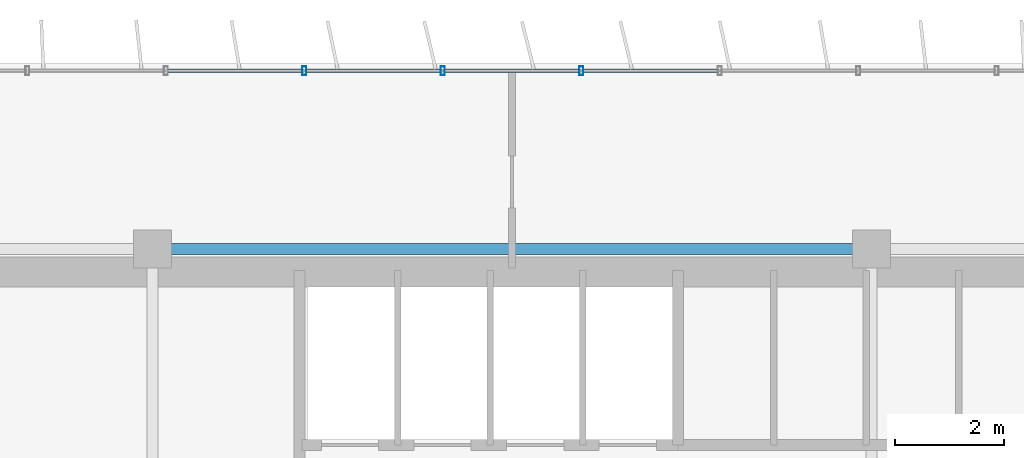
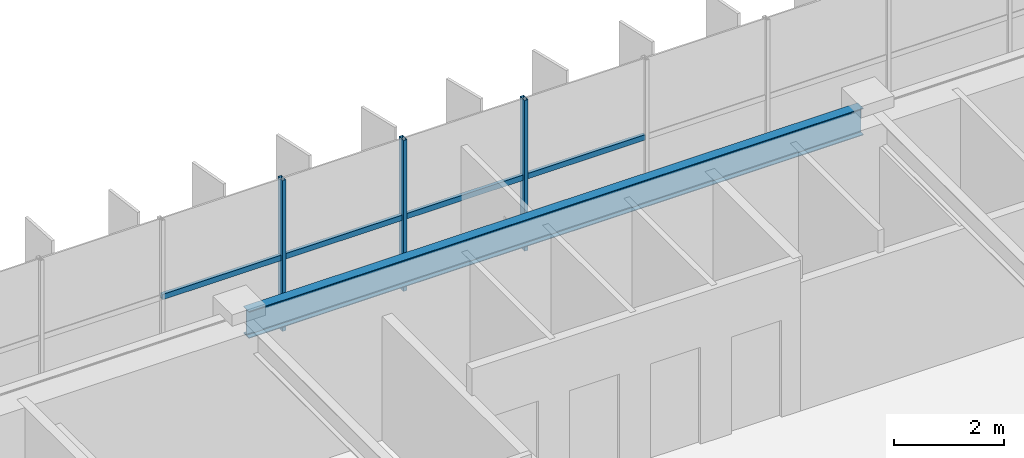
# One storey, part 7 of 21: 7 members, 1 beam, 1 element without a shape of its own.
"""IFC4 building model written with IfcOpenShell, lengths in metres."""

from ifc_helpers import new_model, si_unit, direction, frame, origin, origin_2d, place, context, subcontext, project, spatial, hollow_rectangle, i_section, extrude, source, transform, mapped, material, material_profile, profile_set, type_object, element, aggregate, save


model = new_model("IFC4")

# Units and contexts
model_context = context("Model", 3, precision=1e-05, world=origin(), true_north=direction((0.0, 1.0)))
body_context = subcontext(model_context, "Body", "Model", "MODEL_VIEW")
ifc_project = project(units=[si_unit("LENGTHUNIT", "METRE"), si_unit("AREAUNIT", "SQUARE_METRE"), si_unit("VOLUMEUNIT", "CUBIC_METRE"), si_unit("PLANEANGLEUNIT", "RADIAN"), si_unit("MASSUNIT", "GRAM", prefix="KILO")], contexts=[model_context])

# Site, building, storey
site_placement = place(None, origin())
site = spatial("IfcSite", under=ifc_project, at=site_placement, CompositionType="ELEMENT")
building_placement = place(site_placement, origin())
building = spatial("IfcBuilding", under=site, at=building_placement, Name="Trelvane Seafront Commons", CompositionType="ELEMENT")
storey_placement = place(building_placement, frame((0.0, 0.0, 153.699951171875)))
storey = spatial("IfcBuildingStorey", under=building, at=storey_placement, Name="L40", CompositionType="ELEMENT", Elevation=153.699951171875)

# Beam
ifc_material_1 = material(Name="Steel SM355 (S355)", Category="steel")
ifc_material_profile_1 = material_profile(ifc_material_1, i_section(OverallWidth=0.199951171875, OverallDepth=0.60009765625, WebThickness=0.010986328125, FlangeThickness=0.01708984375, at=origin_2d()), Name="H-600x200x11x17")
ifc_profile_set_1 = profile_set([ifc_material_profile_1], Name="Steel SM355 (S355)")
beam_type = type_object("IfcBeamType", Name="STR-SPD-H600", PredefinedType="SPANDREL", material=ifc_profile_set_1)
shared_shape_1 = source(origin(), body_context, "Body", "SweptSolid", [
    extrude(i_section(OverallWidth=0.199951171875, OverallDepth=0.60009765625, WebThickness=0.010986328125, FlangeThickness=0.01708984375, at=origin_2d()), origin(), (0.0, 0.0, 1.0), 12.89990234375),
])
beam_placement = place(storey_placement, frame((30.75, 45.10009765625, 3.050048828125), z_axis=(1.0, 0.0, 0.0), x_axis=(0.0, 1.0, 0.0)))
element("IfcBeam", 1, at=beam_placement, inside=storey, type_object=beam_type, Name="L40 Primary Girder G-25", PredefinedType="SPANDREL", context=body_context, shape_type="MappedRepresentation", body=[
    mapped(shared_shape_1, transform((0.0, 0.0, 0.0), x_axis=(1.0, 0.0, 0.0), y_axis=(0.0, 1.0, 0.0), z_axis=(0.0, 0.0, 1.0), scale=1.0)),
])

# Curtain wall, members
ifc_material_2 = material(Name="Anodised pale-silver aluminium", Category="aluminium")
curtain_wall_type = type_object("IfcCurtainWallType", Name="ARCH-CW5-UPTOWER", PredefinedType="NOTDEFINED", material=ifc_material_2)
curtain_wall_placement = place(storey_placement, origin())
curtain_wall = element("IfcCurtainWall", 2, at=curtain_wall_placement, inside=storey, type_object=curtain_wall_type, Name="CW-L40-0067", PredefinedType="NOTDEFINED")
ifc_material_profile_2 = material_profile(ifc_material_2, hollow_rectangle(XDim=0.070068359375, YDim=0.1201171875, WallThickness=0.00390625, at=origin_2d()), Name="TRAN-70x120x4")
ifc_profile_set_2 = profile_set([ifc_material_profile_2], Name="Anodised pale-silver aluminium")
member_type_1 = type_object("IfcMemberType", Name="ARCH-CW-TRAN-120", PredefinedType="USERDEFINED", material=ifc_profile_set_2)
shared_shape_2 = source(origin(), body_context, "Body", "SweptSolid", [
    extrude(hollow_rectangle(XDim=0.070068359375, YDim=0.1201171875, WallThickness=0.00390625, at=origin_2d()), origin(), (0.0, 0.0, 1.0), 2.51708984375),
])
member_1_placement = place(storey_placement, frame((30.859130859375, 48.3701171875, 1.608154296875), z_axis=(1.0, 0.0, 0.0), x_axis=(0.0, 1.0, 0.0)))
member_1 = element("IfcMember", 3, at=member_1_placement, type_object=member_type_1, Name="CW-L40-0067-T06", ObjectType="TRANSOM", PredefinedType="USERDEFINED", context=body_context, shape_type="MappedRepresentation", body=[
    mapped(shared_shape_2, transform((0.0, 0.0, 0.0), x_axis=(1.0, 0.0, 0.0), y_axis=(0.0, 1.0, 0.0), z_axis=(0.0, 0.0, 1.0), scale=1.0)),
])
member_2_placement = place(storey_placement, frame((35.94140625, 48.3701171875, 1.608154296875), z_axis=(1.0, 0.0, 0.0), x_axis=(0.0, 1.0, 0.0)))
member_2 = element("IfcMember", 4, at=member_2_placement, type_object=member_type_1, Name="CW-L40-0067-T08", ObjectType="TRANSOM", PredefinedType="USERDEFINED", context=body_context, shape_type="MappedRepresentation", body=[
    mapped(shared_shape_2, transform((0.0, 0.0, 0.0), x_axis=(1.0, 0.0, 0.0), y_axis=(0.0, 1.0, 0.0), z_axis=(0.0, 0.0, 1.0), scale=1.0)),
])
member_3_placement = place(storey_placement, frame((38.482666015625, 48.3701171875, 1.608154296875), z_axis=(1.0, 0.0, 0.0), x_axis=(0.0, 1.0, 0.0)))
member_3 = element("IfcMember", 5, at=member_3_placement, type_object=member_type_1, Name="CW-L40-0067-T09", ObjectType="TRANSOM", PredefinedType="USERDEFINED", context=body_context, shape_type="MappedRepresentation", body=[
    mapped(shared_shape_2, transform((0.0, 0.0, 0.0), x_axis=(1.0, 0.0, 0.0), y_axis=(0.0, 1.0, 0.0), z_axis=(0.0, 0.0, 1.0), scale=1.0)),
])
shared_shape_3 = source(origin(), body_context, "Body", "SweptSolid", [
    extrude(hollow_rectangle(XDim=0.070068359375, YDim=0.1201171875, WallThickness=0.00390625, at=origin_2d()), origin(), (0.0, 0.0, 1.0), 2.517333984375),
])
member_4_placement = place(storey_placement, frame((33.400146484375, 48.3701171875, 1.608154296875), z_axis=(1.0, 0.0, 0.0), x_axis=(0.0, 1.0, 0.0)))
member_4 = element("IfcMember", 6, at=member_4_placement, type_object=member_type_1, Name="CW-L40-0067-T07", ObjectType="TRANSOM", PredefinedType="USERDEFINED", context=body_context, shape_type="MappedRepresentation", body=[
    mapped(shared_shape_3, transform((0.0, 0.0, 0.0), x_axis=(1.0, 0.0, 0.0), y_axis=(0.0, 1.0, 0.0), z_axis=(0.0, 0.0, 1.0), scale=1.0)),
])
ifc_material_profile_3 = material_profile(ifc_material_2, hollow_rectangle(XDim=0.074951171875, YDim=0.159912109375, WallThickness=0.00390625, at=origin_2d()), Name="MULL-75x160x4")
ifc_profile_set_3 = profile_set([ifc_material_profile_3], Name="Anodised pale-silver aluminium")
member_type_2 = type_object("IfcMemberType", Name="ARCH-CW-MULL-160", PredefinedType="MULLION", material=ifc_profile_set_3)
shared_shape_4 = source(origin(), body_context, "Body", "SweptSolid", [
    extrude(hollow_rectangle(XDim=0.074951171875, YDim=0.159912109375, WallThickness=0.00390625, at=origin_2d()), origin(), (0.0, 0.0, 1.0), 3.35009765625),
])
member_5_placement = place(storey_placement, frame((33.38818359375, 48.3701171875, 0.0), z_axis=(0.0, 0.0, 1.0), x_axis=(1.0, 0.0, 0.0)))
member_5 = element("IfcMember", 7, at=member_5_placement, type_object=member_type_2, Name="CW-L40-0067-M07", PredefinedType="MULLION", context=body_context, shape_type="MappedRepresentation", body=[
    mapped(shared_shape_4, transform((0.0, 0.0, 0.0), x_axis=(1.0, 0.0, 0.0), y_axis=(0.0, 1.0, 0.0), z_axis=(0.0, 0.0, 1.0), scale=1.0)),
])
member_6_placement = place(storey_placement, frame((35.929443359375, 48.3701171875, 0.0), z_axis=(0.0, 0.0, 1.0), x_axis=(1.0, 0.0, 0.0)))
member_6 = element("IfcMember", 8, at=member_6_placement, type_object=member_type_2, Name="CW-L40-0067-M08", PredefinedType="MULLION", context=body_context, shape_type="MappedRepresentation", body=[
    mapped(shared_shape_4, transform((0.0, 0.0, 0.0), x_axis=(1.0, 0.0, 0.0), y_axis=(0.0, 1.0, 0.0), z_axis=(0.0, 0.0, 1.0), scale=1.0)),
])
member_7_placement = place(storey_placement, frame((38.470703125, 48.3701171875, 0.0), z_axis=(0.0, 0.0, 1.0), x_axis=(1.0, 0.0, 0.0)))
member_7 = element("IfcMember", 9, at=member_7_placement, type_object=member_type_2, Name="CW-L40-0067-M09", PredefinedType="MULLION", context=body_context, shape_type="MappedRepresentation", body=[
    mapped(shared_shape_4, transform((0.0, 0.0, 0.0), x_axis=(1.0, 0.0, 0.0), y_axis=(0.0, 1.0, 0.0), z_axis=(0.0, 0.0, 1.0), scale=1.0)),
])
aggregate(curtain_wall, [member_5, member_6, member_7, member_1, member_4, member_2, member_3])

save(model, "model.ifc")
